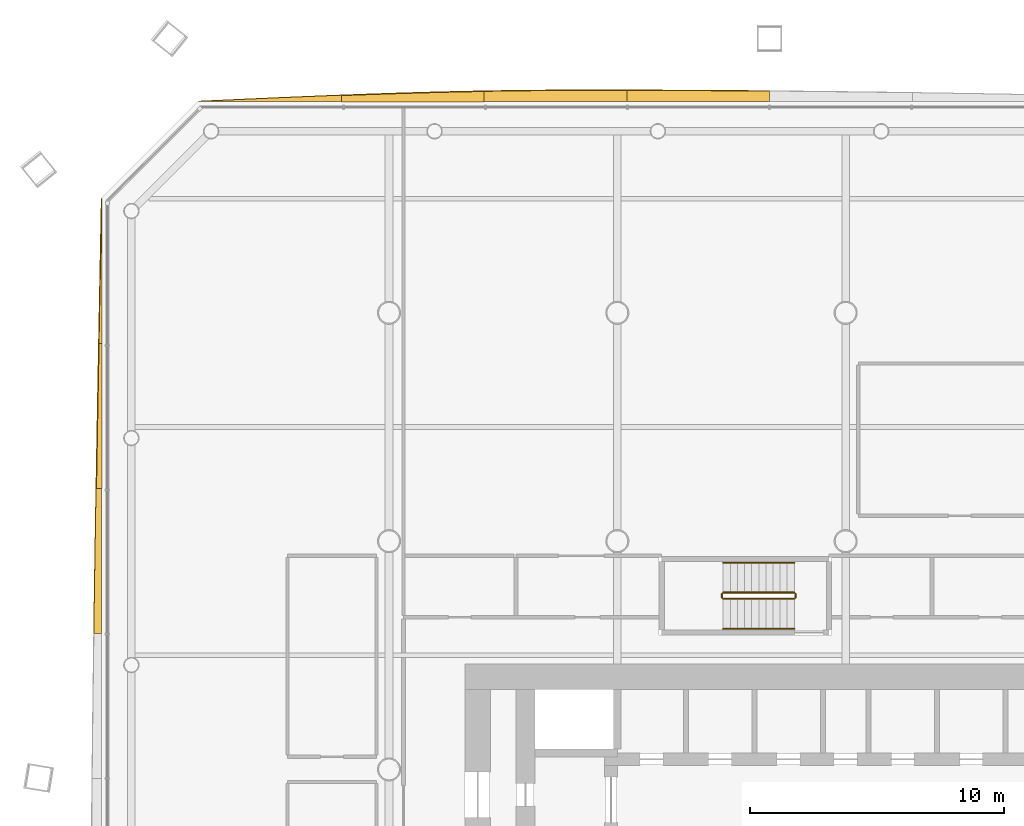
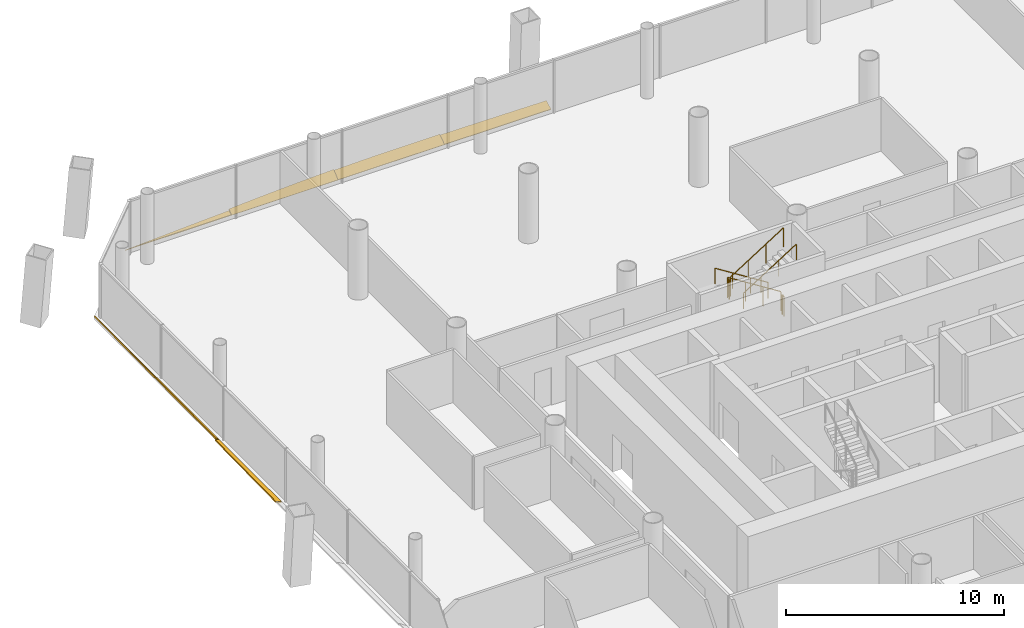
# One storey, part 19 of 20: 7 shading devices, 6 railings.
"""IFC4 building model written with IfcOpenShell, lengths in metres."""

from ifc_helpers import new_model, si_unit, direction, frame, origin, origin_2d, place, context, subcontext, project, spatial, polyline, circle, outline, extrude, material, layer, layer_set, type_object, element, save


model = new_model("IFC4")

# Units and contexts
model_context = context("Model", 3, precision=1e-05, world=origin(), true_north=direction((0.0, 1.0)))
body_context = subcontext(model_context, "Body", "Model", "MODEL_VIEW")
ifc_project = project(units=[si_unit("LENGTHUNIT", "METRE"), si_unit("AREAUNIT", "SQUARE_METRE"), si_unit("VOLUMEUNIT", "CUBIC_METRE"), si_unit("PLANEANGLEUNIT", "RADIAN"), si_unit("MASSUNIT", "GRAM", prefix="KILO")], contexts=[model_context])

# Site, building, storey
site_placement = place(None, origin())
site = spatial("IfcSite", under=ifc_project, at=site_placement, CompositionType="ELEMENT")
building_placement = place(site_placement, origin())
building = spatial("IfcBuilding", under=site, at=building_placement, Name="Tskaro Facet Tower", CompositionType="ELEMENT")
storey_placement = place(building_placement, frame((0.0, 0.0, 53.699951171875)))
storey = spatial("IfcBuildingStorey", under=building, at=storey_placement, Name="L12", CompositionType="ELEMENT", Elevation=53.699951171875)

# Shading devices
ifc_material_1 = material(Name="Bronze anodised aluminium 6063-T6", Category="aluminium")
ifc_layer = layer(ifc_material_1, 0.06005859375, Name="Bronze anodised aluminium 6063-T6")
ifc_layer_set = layer_set([ifc_layer], Name="Bronze anodised aluminium 6063-T6")
shading_device_type = type_object("IfcShadingDeviceType", Name="Bronze sun blade (FN1)", PredefinedType="USERDEFINED", material=ifc_layer_set)
shading_device_1_placement = place(storey_placement, frame((-3.0, 26.326904296875, 0.052001953125), z_axis=(4.718736e-06, -0.499979834675, 0.866037045914), x_axis=(-0.999999999989, -2.359273e-06, 4.0866e-06)))
element("IfcShadingDevice", 1, at=shading_device_1_placement, inside=storey, type_object=shading_device_type, Name="Fin blade north 5", ObjectType="FIN", PredefinedType="USERDEFINED", context=body_context, shape_type="SweptSolid", body=[
    extrude(outline(polyline([(0.0, 0.0), (5.6271972655623514, 0.0), (5.627197265614438, -0.5102553662997212), (4.9238281250384075, -0.5082870609627608), (4.220458984194951, -0.5054403203701524), (3.5170898435057785, -0.5020486447368877), (2.813720703546884, -0.49790059923730157), (2.1101074215435753, -0.4932969881333978), (1.4067382814715366, -0.4877255723375075), (0.7033691405560765, -0.48148715611163456), (-2.0510024291855364e-10, -0.4747038048451052), (0.0, 0.0)])), origin(), (0.0, 0.0, -1.0), 0.06005859375),
])
shading_device_2_placement = place(storey_placement, frame((-8.627197265625, 26.322509765625, 0.04931640625), z_axis=(3.19479e-07, -0.573341737549, 0.819316332063), x_axis=(-1.0, -1.83171e-07, 2.61754e-07)))
element("IfcShadingDevice", 2, at=shading_device_2_placement, inside=storey, type_object=shading_device_type, Name="Fin blade north 6", ObjectType="FIN", PredefinedType="USERDEFINED", context=body_context, shape_type="SweptSolid", body=[
    extrude(outline(polyline([(0.0, 0.0), (5.627197265624713, 1.4895067139636512e-22), (5.627197265654468, -0.4967993489423375), (4.923828124991833, -0.5110199205434399), (4.2204589843482445, -0.5226003804712376), (3.5170898437237006, -0.5315407287257305), (2.813720703162922, -0.5376409369055362), (2.110351562493379, -0.5408210813917496), (1.6657714843428675, -0.5413611142046584), (1.4069824218428806, -0.5413611142046584), (0.7033691406631698, -0.5406210529903672), (2.5368601872336815e-11, -0.5394010113544061), (0.0, 0.0)])), origin(), (0.0, 0.0, -1.0), 0.06005859375),
])
shading_device_3_placement = place(storey_placement, frame((-14.25439453125, 26.318359375, 0.0458984375), z_axis=(8.05176e-06, -0.642936394506, 0.765919573163), x_axis=(-0.999999999968, -5.17677e-06, 6.167001e-06)))
element("IfcShadingDevice", 3, at=shading_device_3_placement, inside=storey, type_object=shading_device_type, Name="Fin blade north 7", ObjectType="FIN", PredefinedType="USERDEFINED", context=body_context, shape_type="SweptSolid", body=[
    extrude(outline(polyline([(0.0, 0.0), (5.627441406067584, 0.0), (5.627441406199481, -0.31781239665225147), (4.923828123980821, -0.3521345620359779), (4.220458985211708, -0.384519915263839), (3.5170898437282014, -0.41502850671604025), (2.813720703321881, -0.44309936014268814), (2.1103515627288867, -0.4689194676270805), (1.4069824219492186, -0.4924888291692173), (0.7036132804993652, -0.5131195268161128), (-4.982946295472755e-10, -0.5313124864374548), (0.0, 0.0)])), origin(), (0.0, 0.0, -1.0), 0.06005859375),
])
shading_device_4_placement = place(storey_placement, frame((-19.8818359375, 26.33642578125, 0.056396484375), z_axis=(-1.868268e-06, -0.34208327552, 0.939669640143), x_axis=(-0.999999999998, 6.39103e-07, -1.755555e-06)))
element("IfcShadingDevice", 4, at=shading_device_4_placement, inside=storey, type_object=shading_device_type, Name="Fin blade north 8", ObjectType="FIN", PredefinedType="USERDEFINED", context=body_context, shape_type="SweptSolid", body=[
    extrude(outline(polyline([(0.0, 0.0), (5.627197265615179, 5.958026855854605e-22), (4.923828125014601, -0.034291110772472884), (4.2204589842579905, -0.06835281001170744), (3.516845703148952, -0.10210158129301589), (2.8134765626254223, -0.13507860154992157), (2.1101074217898304, -0.16759679874035058), (1.4067382813433498, -0.19925972848168907), (0.7033691405453161, -0.22969208413214812), (-1.963764777800492e-11, -0.2590397608002783), (0.0, 0.0)])), origin(), (0.0, 0.0, -1.0), 0.06005859375),
])
shading_device_5_placement = place(storey_placement, frame((-29.322509765625, 22.509033203125, 0.04931640625), z_axis=(0.572362988234, 1.0488162e-05, 0.820000371701), x_axis=(6.003036e-06, -0.999999999945, 8.600296e-06)))
element("IfcShadingDevice", 5, at=shading_device_5_placement, inside=storey, type_object=shading_device_type, Name="Fin blade west 1", ObjectType="FIN", PredefinedType="USERDEFINED", context=body_context, shape_type="SweptSolid", body=[
    extrude(outline(polyline([(0.0, 0.0), (5.716796874685572, -4.842315305885424e-21), (5.716796875303948, -0.13342523971420084), (5.002197266787512, -0.1171044843430763), (4.287597656171393, -0.1006439919142698), (3.5729980470208598, -0.08398330408220495), (2.858398437870327, -0.06732261625014009), (2.143798826620112, -0.050522191360393244), (1.4291992189351634, -0.033661308125070045), (0.7145996076849483, -0.0168608832353232), (0.0, 0.0)])), origin(), (0.0, 0.0, -1.0), 0.06005859375),
])
shading_device_6_placement = place(storey_placement, frame((-29.318359375, 16.792236328125, 0.0458984375), z_axis=(0.642876557829, -7.486516e-06, 0.765969797928), x_axis=(-4.812905e-06, -0.999999999972, -5.734445e-06)))
element("IfcShadingDevice", 6, at=shading_device_6_placement, inside=storey, type_object=shading_device_type, Name="Fin blade west 2", ObjectType="FIN", PredefinedType="USERDEFINED", context=body_context, shape_type="SweptSolid", body=[
    extrude(outline(polyline([(0.0, 0.0), (5.717041015464786, 0.0), (5.717041015954162, -0.276924991476703), (5.002441405473336, -0.26079577391688896), (4.287841797567546, -0.24469660841764684), (3.573242187311705, -0.22822343422799965), (2.858642578455875, -0.21159330775372187), (2.1440429684250186, -0.19477617693424157), (1.4294433586191482, -0.17761508948492813), (0.714599609588295, -0.16029704975098408), (7.409541989895973e-12, -0.14279200567183753), (0.0, 0.0)])), origin(), (0.0, 0.0, -1.0), 0.06005859375),
])
shading_device_7_placement = place(storey_placement, frame((-29.33642578125, 11.0751953125, 0.056396484375), z_axis=(0.342090951025, 9.18596e-06, 0.939666845825), x_axis=(3.142434e-06, -0.999999999958, 8.631742e-06)))
element("IfcShadingDevice", 7, at=shading_device_7_placement, inside=storey, type_object=shading_device_type, Name="Fin blade west 3", ObjectType="FIN", PredefinedType="USERDEFINED", context=body_context, shape_type="SweptSolid", body=[
    extrude(outline(polyline([(0.0, 0.0), (5.716796874758803, 2.421157652942712e-21), (5.716796875583557, -0.32090563540293), (5.002197264743186, -0.30993408688170443), (4.287597656777368, -0.29881664580803136), (3.5729980461312265, -0.28707334643508875), (2.858398437592442, -0.2754135653607398), (2.143798827713495, -0.2634408551367561), (1.4291992193689393, -0.2510093232106901), (0.7145996089170247, -0.23849427298603046), (-4.983408471233132e-13, -0.22552040105928856), (0.0, 0.0)])), origin(), (0.0, 0.0, -1.0), 0.06005859375),
])

# Railings
ifc_material_2 = material(Name="Stainless steel", Category="steel")
railing_type_1 = type_object("IfcRailingType", Name="RL-GUARD-1100", PredefinedType="GUARDRAIL", material=ifc_material_2)
railing_1_placement = place(storey_placement, frame((-2.02490234375, 6.97509765625, 0.17724609375)))
element("IfcRailing", 8, at=railing_1_placement, inside=storey, type_object=railing_type_1, Name="L12 ST-3 stair guard 1", PredefinedType="GUARDRAIL", context=body_context, shape_type="SweptSolid", body=[
    extrude(circle(Radius=0.02392578125, at=origin_2d()), frame((0.0, 0.0, 1.076171875), z_axis=(-0.844908973607, 0.0, 0.534910110503), x_axis=(0.0, -1.0, 0.0)), (0.0, 0.0, 1.0), 3.31396484375),
    extrude(circle(Radius=0.02099609375, at=origin_2d()), origin(), (0.0, 0.0, 1.0), 1.052001953125),
    extrude(circle(Radius=0.02099609375, at=origin_2d()), frame((-0.933349609375, 0.0, 0.5908203125)), (0.0, 0.0, 1.0), 1.052001953125),
    extrude(circle(Radius=0.02099609375, at=origin_2d()), frame((-1.86669921875, 0.0, 1.181884765625)), (0.0, 0.0, 1.0), 1.052001953125),
    extrude(circle(Radius=0.02099609375, at=origin_2d()), frame((-2.800048828125, 0.0, 1.772705078125)), (0.0, 0.0, 1.0), 1.052001953125),
])
railing_2_placement = place(storey_placement, frame((-4.875, 6.925048828125, 1.949951171875)))
element("IfcRailing", 9, at=railing_2_placement, inside=storey, type_object=railing_type_1, Name="L12 ST-3 stair guard 2", PredefinedType="GUARDRAIL", context=body_context, shape_type="SweptSolid", body=[
    extrude(circle(Radius=0.02392578125, at=origin_2d()), frame((0.0, 0.0, 1.076171875), z_axis=(0.0, -1.0, 0.0), x_axis=(1.0, 0.0, 0.0)), (0.0, 0.0, 1.0), 0.150146484375),
    extrude(circle(Radius=0.02099609375, at=origin_2d()), origin(), (0.0, 0.0, 1.0), 1.052001953125),
    extrude(circle(Radius=0.02099609375, at=origin_2d()), frame((0.0, -0.150146484375, 0.0)), (0.0, 0.0, 1.0), 1.052001953125),
])
railing_3_placement = place(storey_placement, frame((-4.824951171875, 6.72509765625, 2.12744140625)))
element("IfcRailing", 10, at=railing_3_placement, inside=storey, type_object=railing_type_1, Name="L12 ST-3 stair guard 3", PredefinedType="GUARDRAIL", context=body_context, shape_type="SweptSolid", body=[
    extrude(circle(Radius=0.02392578125, at=origin_2d()), frame((0.0, 0.0, 1.076171875), z_axis=(0.844908973607, 0.0, 0.534910110503), x_axis=(0.0, 1.0, 0.0)), (0.0, 0.0, 1.0), 3.31396484375),
    extrude(circle(Radius=0.02099609375, at=origin_2d()), origin(), (0.0, 0.0, 1.0), 1.052001953125),
    extrude(circle(Radius=0.02099609375, at=origin_2d()), frame((0.933349609375, 0.0, 0.5908203125)), (0.0, 0.0, 1.0), 1.052001953125),
    extrude(circle(Radius=0.02099609375, at=origin_2d()), frame((1.86669921875, 0.0, 1.181884765625)), (0.0, 0.0, 1.0), 1.052001953125),
    extrude(circle(Radius=0.02099609375, at=origin_2d()), frame((2.800048828125, 0.0, 1.772705078125)), (0.0, 0.0, 1.0), 1.052001953125),
])
railing_4_placement = place(storey_placement, frame((-1.97509765625, 6.925048828125, 0.0)))
element("IfcRailing", 11, at=railing_4_placement, inside=storey, type_object=railing_type_1, Name="L12 ST-3 stair guard 4", PredefinedType="GUARDRAIL", context=body_context, shape_type="SweptSolid", body=[
    extrude(circle(Radius=0.02392578125, at=origin_2d()), frame((0.0, 0.0, 1.076171875), z_axis=(0.0, -1.0, 0.0), x_axis=(1.0, 0.0, 0.0)), (0.0, 0.0, 1.0), 0.150146484375),
    extrude(circle(Radius=0.02099609375, at=origin_2d()), origin(), (0.0, 0.0, 1.0), 1.052001953125),
    extrude(circle(Radius=0.02099609375, at=origin_2d()), frame((0.0, -0.150146484375, 0.0)), (0.0, 0.0, 1.0), 1.052001953125),
])
railing_type_2 = type_object("IfcRailingType", Name="RL-HANDRAIL-900", PredefinedType="HANDRAIL", material=ifc_material_2)
railing_5_placement = place(storey_placement, frame((-2.02490234375, 8.14990234375, 0.17724609375)))
element("IfcRailing", 12, at=railing_5_placement, inside=storey, type_object=railing_type_2, Name="L12 ST-3 stair handrail 1", PredefinedType="HANDRAIL", context=body_context, shape_type="SweptSolid", body=[
    extrude(circle(Radius=0.02392578125, at=origin_2d()), frame((0.0, 0.0, 0.8759765625), z_axis=(-0.844908973607, 0.0, 0.534910110503), x_axis=(0.0, -1.0, 0.0)), (0.0, 0.0, 1.0), 3.31396484375),
    extrude(circle(Radius=0.02099609375, at=origin_2d()), origin(), (0.0, 0.0, 1.0), 0.851806640625),
    extrude(circle(Radius=0.02099609375, at=origin_2d()), frame((-0.933349609375, 0.0, 0.5908203125)), (0.0, 0.0, 1.0), 0.851806640625),
    extrude(circle(Radius=0.02099609375, at=origin_2d()), frame((-1.86669921875, 0.0, 1.181884765625)), (0.0, 0.0, 1.0), 0.851806640625),
    extrude(circle(Radius=0.02099609375, at=origin_2d()), frame((-2.800048828125, 0.0, 1.772705078125)), (0.0, 0.0, 1.0), 0.851806640625),
])
railing_6_placement = place(storey_placement, frame((-4.824951171875, 5.550048828125, 2.12744140625)))
element("IfcRailing", 13, at=railing_6_placement, inside=storey, type_object=railing_type_2, Name="L12 ST-3 stair handrail 2", PredefinedType="HANDRAIL", context=body_context, shape_type="SweptSolid", body=[
    extrude(circle(Radius=0.02392578125, at=origin_2d()), frame((0.0, 0.0, 0.8759765625), z_axis=(0.844908973607, 0.0, 0.534910110503), x_axis=(0.0, 1.0, 0.0)), (0.0, 0.0, 1.0), 3.31396484375),
    extrude(circle(Radius=0.02099609375, at=origin_2d()), origin(), (0.0, 0.0, 1.0), 0.851806640625),
    extrude(circle(Radius=0.02099609375, at=origin_2d()), frame((0.933349609375, 0.0, 0.5908203125)), (0.0, 0.0, 1.0), 0.851806640625),
    extrude(circle(Radius=0.02099609375, at=origin_2d()), frame((1.86669921875, 0.0, 1.181884765625)), (0.0, 0.0, 1.0), 0.851806640625),
    extrude(circle(Radius=0.02099609375, at=origin_2d()), frame((2.800048828125, 0.0, 1.772705078125)), (0.0, 0.0, 1.0), 0.851806640625),
])

save(model, "model.ifc")
